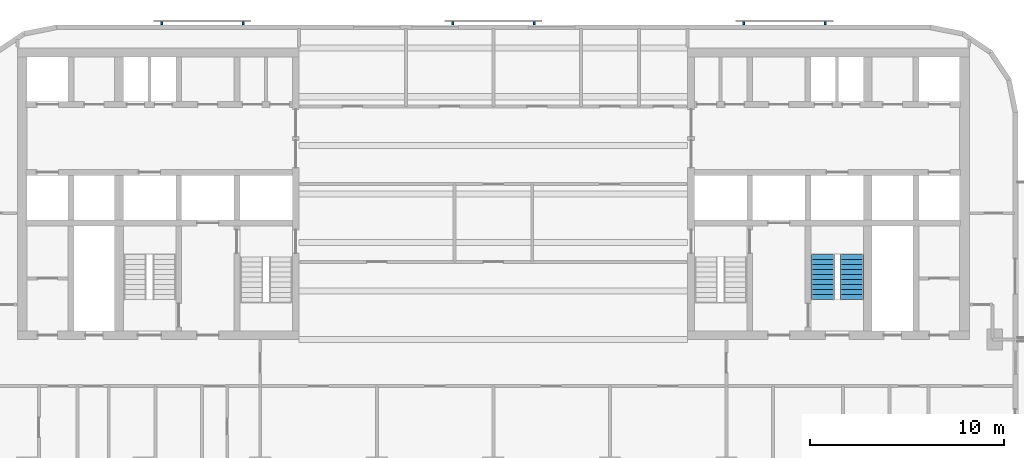
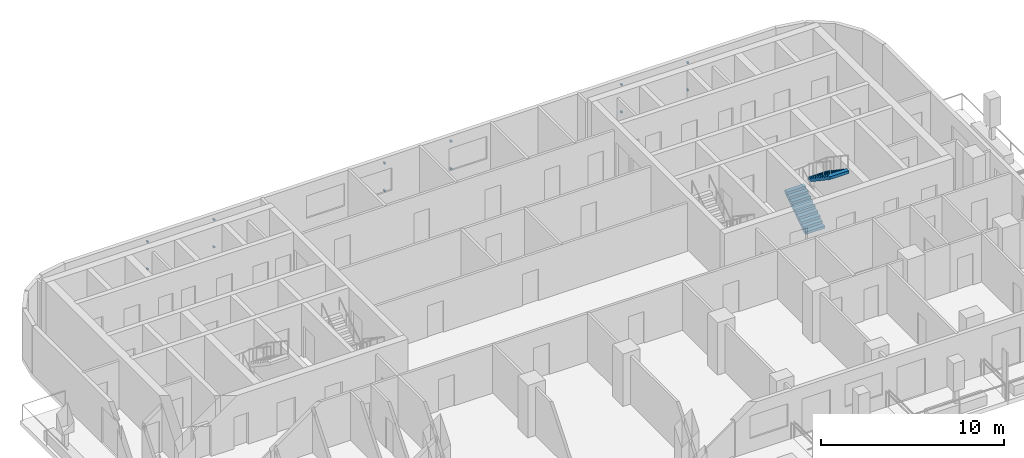
# One storey, part 8 of 11: 12 discrete accessories, 2 stair flights, 1 element without a shape of its own.
"""IFC4 building model written with IfcOpenShell, lengths in metres."""

from ifc_helpers import new_model, si_unit, direction, frame, origin, origin_2d, place, context, subcontext, project, spatial, polyline, rectangle, outline, extrude, material, type_object, element, aggregate, save


model = new_model("IFC4")

# Units and contexts
model_context = context("Model", 3, precision=1e-05, world=origin(), true_north=direction((0.0, 1.0)))
body_context = subcontext(model_context, "Body", "Model", "MODEL_VIEW")
ifc_project = project(units=[si_unit("LENGTHUNIT", "METRE"), si_unit("AREAUNIT", "SQUARE_METRE"), si_unit("VOLUMEUNIT", "CUBIC_METRE"), si_unit("PLANEANGLEUNIT", "RADIAN"), si_unit("MASSUNIT", "GRAM", prefix="KILO")], contexts=[model_context])

# Site, building, storey
site_placement = place(None, origin())
site = spatial("IfcSite", under=ifc_project, at=site_placement, CompositionType="ELEMENT")
building_placement = place(site_placement, origin())
building = spatial("IfcBuilding", under=site, at=building_placement, Name="Torana Hotel and Residences", CompositionType="ELEMENT")
storey_placement = place(building_placement, frame((0.0, 0.0, 239.60009765625)))
storey = spatial("IfcBuildingStorey", under=building, at=storey_placement, Name="L63", CompositionType="ELEMENT", Elevation=239.60009765625)

# Stair, stair flights
ifc_material_1 = material(Name="Concrete C40/50 precast", Category="concrete")
stair_type = type_object("IfcStairType", Name="STAIR ST4 HALF TURN 1200", PredefinedType="HALF_TURN_STAIR", material=ifc_material_1)
stair_placement = place(storey_placement, origin())
stair = element("IfcStair", 1, at=stair_placement, inside=storey, type_object=stair_type, Name="Stair ST4 L63", PredefinedType="HALF_TURN_STAIR")
ifc_material_2 = material(Name="Concrete C40/50 precast", Category="concrete")
stair_flight_type = type_object("IfcStairFlightType", Name="STAIR FLIGHT 1200 PRECAST", PredefinedType="STRAIGHT", material=ifc_material_2)
stair_flight_1_placement = place(storey_placement, frame((16.949951171875, -12.949951171875, 0.0), z_axis=(0.0, 0.0, 1.0), x_axis=(0.0, 1.0, 0.0)))
stair_flight_1 = element("IfcStairFlight", 2, at=stair_flight_1_placement, type_object=stair_flight_type, Name="ST4 flight 1", NumberOfRisers=10, NumberOfTreads=9, PredefinedType="STRAIGHT", RiserHeight=0.175, TreadLength=0.26, context=body_context, shape_type="SweptSolid", body=[
    extrude(outline(polyline([(0.0, 0.0), (0.0, 0.175048828125), (0.260009765625, 0.175048828125), (0.260009765625, 0.35009765625), (0.52001953125, 0.35009765625), (0.52001953125, 0.52490234375), (0.780029296875, 0.52490234375), (0.780029296875, 0.699951171875), (1.0400390625, 0.699951171875), (1.0400390625, 0.875), (1.300048828125, 0.875), (1.300048828125, 1.050048828125), (1.56005859375, 1.050048828125), (1.56005859375, 1.22509765625), (1.820068359375, 1.22509765625), (1.820068359375, 1.39990234375), (2.080078125, 1.39990234375), (2.080078125, 1.574951171875), (2.340087890625, 1.574951171875), (2.340087890625, 1.75), (2.340087890625, 1.394287109375), (0.2685546875, 0.0), (0.0, 0.0)])), frame((0.0, 0.60009765625, 0.0), z_axis=(0.0, -1.0, 0.0), x_axis=(1.0, 0.0, 0.0)), (0.0, 0.0, 1.0), 1.199951171875),
])
stair_flight_2_placement = place(storey_placement, frame((18.449951171875, -10.610107421875, 1.75), z_axis=(0.0, 0.0, 1.0), x_axis=(0.0, -1.0, 0.0)))
stair_flight_2 = element("IfcStairFlight", 3, at=stair_flight_2_placement, type_object=stair_flight_type, Name="ST4 flight 2", NumberOfRisers=10, NumberOfTreads=9, PredefinedType="STRAIGHT", RiserHeight=0.175, TreadLength=0.26, context=body_context, shape_type="SweptSolid", body=[
    extrude(outline(polyline([(0.0, 0.0), (0.0, 0.175048828125), (0.260009765625, 0.175048828125), (0.260009765625, 0.35009765625), (0.52001953125, 0.35009765625), (0.52001953125, 0.52490234375), (0.780029296875, 0.52490234375), (0.780029296875, 0.699951171875), (1.0400390625, 0.699951171875), (1.0400390625, 0.875), (1.300048828125, 0.875), (1.300048828125, 1.050048828125), (1.56005859375, 1.050048828125), (1.56005859375, 1.22509765625), (1.820068359375, 1.22509765625), (1.820068359375, 1.39990234375), (2.080078125, 1.39990234375), (2.080078125, 1.574951171875), (2.340087890625, 1.574951171875), (2.340087890625, 1.75), (2.340087890625, 1.394287109375), (0.2685546875, 0.0), (0.0, 0.0)])), frame((0.0, 0.60009765625, 0.0), z_axis=(0.0, -1.0, 0.0), x_axis=(1.0, 0.0, 0.0)), (0.0, 0.0, 1.0), 1.199951171875),
])
aggregate(stair, [stair_flight_1, stair_flight_2])

# Discrete accessories
ifc_material_3 = material(Name="Steel S355", Category="steel")
discrete_accessory_type = type_object("IfcDiscreteAccessoryType", Name="SCREEN BRACKET 100", PredefinedType="BRACKET", material=ifc_material_3)
for number, where, z_axis, x_axis, name in (
    (4, (17.08349609375, 1.27490234375, 0.749755859375), (0.0, 0.0, 1.0), (-1.0, 0.0, 0.0), "Screen bracket L63"),
    (5, (17.08349609375, 1.27490234375, 2.56982421875), (0.0, 0.0, 1.0), (-1.0, 0.0, 0.0), "Screen bracket L63"),
    (6, (12.883544921875, 1.27490234375, 0.749755859375), (0.0, 0.0, 1.0), (-1.0, 0.0, 0.0), "Screen bracket L63"),
    (7, (12.883544921875, 1.27490234375, 2.56982421875), (0.0, 0.0, 1.0), (-1.0, 0.0, 0.0), "Screen bracket L63"),
    (8, (2.10009765625, 1.27490234375, 0.749755859375), (0.0, 0.0, 1.0), (-1.0, 0.0, 0.0), "Screen bracket L63"),
    (9, (2.10009765625, 1.27490234375, 2.56982421875), (0.0, 0.0, 1.0), (-1.0, 0.0, 0.0), "Screen bracket L63"),
    (10, (-2.10009765625, 1.27490234375, 0.749755859375), (0.0, 0.0, 1.0), (-1.0, 0.0, 0.0), "Screen bracket L63"),
    (11, (-2.10009765625, 1.27490234375, 2.56982421875), (0.0, 0.0, 1.0), (-1.0, 0.0, 0.0), "Screen bracket L63"),
    (12, (-12.883544921875, 1.27490234375, 0.749755859375), (0.0, 0.0, 1.0), (-1.0, 0.0, 0.0), "Screen bracket L63"),
    (13, (-12.883544921875, 1.27490234375, 2.56982421875), (0.0, 0.0, 1.0), (-1.0, 0.0, 0.0), "Screen bracket L63"),
    (14, (-17.08349609375, 1.27490234375, 0.749755859375), (0.0, 0.0, 1.0), (-1.0, 0.0, 0.0), "Screen bracket L63"),
    (15, (-17.08349609375, 1.27490234375, 2.56982421875), (0.0, 0.0, 1.0), (-1.0, 0.0, 0.0), "Screen bracket L63"),
):
    element("IfcDiscreteAccessory", number, at=place(storey_placement, frame(where, z_axis=z_axis, x_axis=x_axis)), inside=storey, type_object=discrete_accessory_type, Name=name, PredefinedType="BRACKET", context=body_context, shape_type="SweptSolid", body=[
        extrude(rectangle(XDim=0.10009765625, YDim=0.14990234375, at=origin_2d()), origin(), (0.0, 0.0, 1.0), 0.10009765625),
    ])

save(model, "model.ifc")
